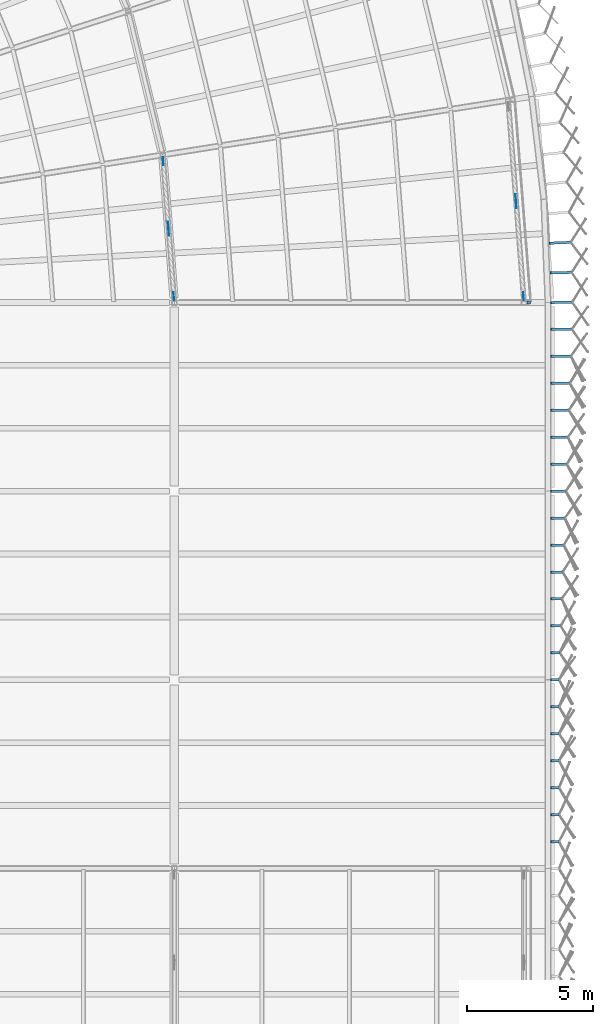
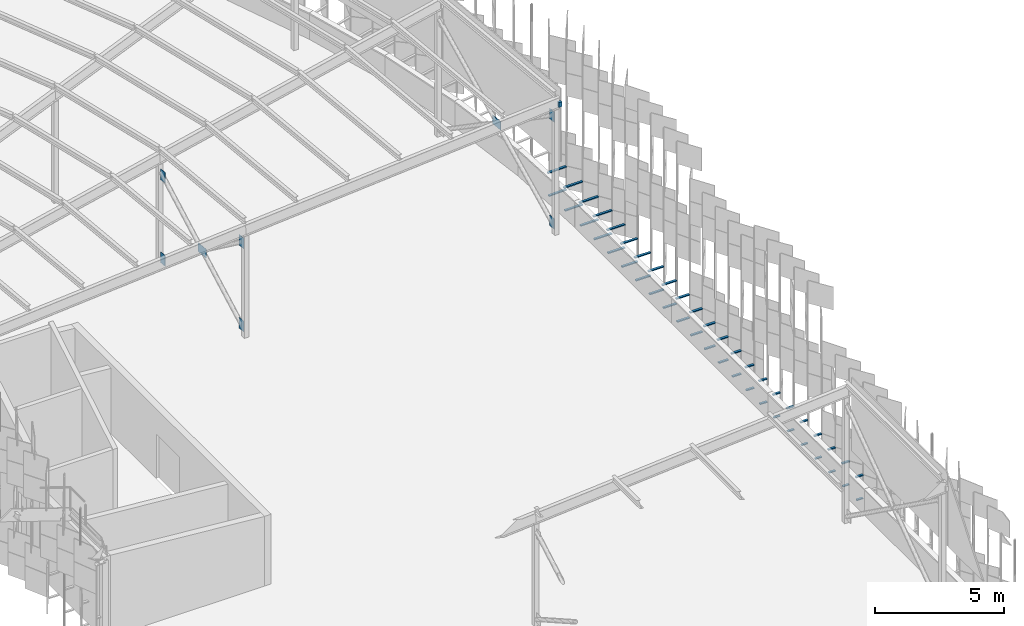
# One storey, part 449 of 483: 55 discrete accessories.
"""IFC4 building model written with IfcOpenShell, lengths in metres."""

import ifcopenshell
import ifcopenshell.guid

model = None  # the IFC model being written
_history = None  # IfcOwnerHistory: only IFC2X3 demands one
_inside = {}  # id of a spatial element -> (the spatial element, [elements in it])
_under = {}  # id of a project, library or spatial element -> (it, [spatial elements below it])
_declared = {}  # id of a project -> (the project, [libraries it declares])
_typed = {}  # id of a type object -> (the type object, [elements of that type])
_made_of = {}  # id of a material, layer set ... -> (it, [elements and type objects made of it])


def new_model(schema):
    """Start an empty IFC model of exactly this schema.

    Asked for "IFC4X3", IfcOpenShell would pick the latest addendum, in which some entities
    have other attributes; the version numbers below select the first issue.
    IFC2X3 requires an IfcOwnerHistory on every rooted entity: one is made here for all.
    """
    global model, _history
    if schema == "IFC4X3":
        model = ifcopenshell.file(schema_version=(4, 3, 0, 0))
    else:
        model = ifcopenshell.file(schema=schema)
    _inside.clear()
    _under.clear()
    _declared.clear()
    _typed.clear()
    _made_of.clear()
    _history = None
    if model.schema == "IFC2X3":
        org = make("IfcOrganization", Name="unknown")
        user = make(
            "IfcPersonAndOrganization",
            ThePerson=make("IfcPerson", FamilyName="unknown"),
            TheOrganization=org,
        )
        app = make(
            "IfcApplication",
            ApplicationDeveloper=org,
            Version="unknown",
            ApplicationFullName="unknown",
            ApplicationIdentifier="unknown",
        )
        _history = make(
            "IfcOwnerHistory",
            OwningUser=user,
            OwningApplication=app,
            ChangeAction="ADDED",
            CreationDate=0,
        )
    return model


def make(cls, **values):
    """One entity of the class cls with the attributes given. An attribute that is None is left unset."""
    return model.create_entity(
        cls, **{name: value for name, value in values.items() if value is not None}
    )


def rooted(cls, **values):
    """An entity with a GlobalId (a new one), such as an element, a storey or a relation."""
    return make(cls, GlobalId=ifcopenshell.guid.new(), OwnerHistory=_history, **values)


def si_unit(unit_type, name, prefix=None):
    """IfcSIUnit, for example si_unit("LENGTHUNIT", "METRE", prefix="MILLI")."""
    return make("IfcSIUnit", UnitType=unit_type, Prefix=prefix, Name=name)


def assignment(units):
    """IfcUnitAssignment: the units of a project."""
    return None if units is None else make("IfcUnitAssignment", Units=units)


def point(xyz):
    """IfcCartesianPoint."""
    return None if xyz is None else make("IfcCartesianPoint", Coordinates=xyz)


def direction(xyz):
    """IfcDirection."""
    return None if xyz is None else make("IfcDirection", DirectionRatios=xyz)


def frame(location, z_axis=None, x_axis=None):
    """IfcAxis2Placement3D, a coordinate frame: its origin and axes. An axis left out is left unset."""
    return make(
        "IfcAxis2Placement3D",
        Location=point(location),
        Axis=direction(z_axis),
        RefDirection=direction(x_axis),
    )


def frame_2d(location, x_axis=None):
    """IfcAxis2Placement2D, a coordinate frame in the plane: its origin and x axis."""
    return make(
        "IfcAxis2Placement2D", Location=point(location), RefDirection=direction(x_axis)
    )


def origin():
    """The frame at (0, 0, 0) with its axes left unset."""
    return frame((0.0, 0.0, 0.0))


def origin_2d():
    """The frame at (0, 0) in the plane with its x axis left unset."""
    return frame_2d((0.0, 0.0))


def place(relative_to, where):
    """IfcLocalPlacement: puts the frame where relative to a parent placement (None: the world)."""
    return make(
        "IfcLocalPlacement", PlacementRelTo=relative_to, RelativePlacement=where
    )


def context(
    kind, dimensions, precision=None, world=None, true_north=None, identifier=None
):
    """IfcGeometricRepresentationContext, for example the 3D "Model" context."""
    return make(
        "IfcGeometricRepresentationContext",
        ContextIdentifier=identifier,
        ContextType=kind,
        CoordinateSpaceDimension=dimensions,
        Precision=precision,
        WorldCoordinateSystem=world,
        TrueNorth=true_north,
    )


def subcontext(parent, identifier, kind, view, scale=None):
    """IfcGeometricRepresentationSubContext, for example "Body" below "Model"."""
    return make(
        "IfcGeometricRepresentationSubContext",
        ContextIdentifier=identifier,
        ContextType=kind,
        ParentContext=parent,
        TargetScale=scale,
        TargetView=view,
    )


def project(units=None, contexts=None):
    """IfcProject with its units and contexts."""
    return rooted(
        "IfcProject",
        Name="project",
        RepresentationContexts=contexts,
        UnitsInContext=assignment(units),
    )


def spatial(cls, under=None, at=None, **own):
    """A site, building, storey or space (cls), placed at a placement, below another one or the project."""
    s = rooted(cls, ObjectPlacement=at, **own)
    if under is not None:
        _under.setdefault(under.id(), (under, []))[1].append(s)
    return s


def polyline(points):
    """IfcPolyline through the points."""
    return make("IfcPolyline", Points=[point(p) for p in points])


def profile(cls, at=None, kind="AREA", **sizes):
    """A parametric profile (cls). Its sizes go by their IFC names, for example OverallWidth=200.0."""
    return make(cls, ProfileType=kind, Position=at, **sizes)


def rectangle(**sizes):
    """IfcRectangleProfileDef."""
    return profile("IfcRectangleProfileDef", **sizes)


def outline(outer, holes=None, kind="AREA"):
    """IfcArbitraryClosedProfileDef: a profile drawn as a closed curve; with holes, ...WithVoids."""
    if holes is None:
        return make("IfcArbitraryClosedProfileDef", ProfileType=kind, OuterCurve=outer)
    return make(
        "IfcArbitraryProfileDefWithVoids",
        ProfileType=kind,
        OuterCurve=outer,
        InnerCurves=holes,
    )


def extrude(swept, where, along, depth):
    """IfcExtrudedAreaSolid: the profile swept, set in the frame where, extruded along a direction by depth."""
    return make(
        "IfcExtrudedAreaSolid",
        SweptArea=swept,
        Position=where,
        ExtrudedDirection=direction(along),
        Depth=depth,
    )


def shape(context_of_items, identifier, shape_type, items):
    """IfcShapeRepresentation: the items that make up one representation, for example the "Body"."""
    return make(
        "IfcShapeRepresentation",
        ContextOfItems=context_of_items,
        RepresentationIdentifier=identifier,
        RepresentationType=shape_type,
        Items=items,
    )


def material(Name=None, Category=None):
    """IfcMaterial."""
    return make("IfcMaterial", Name=Name, Category=Category)


def layer(
    of_material, thickness, ventilated=None, Name=None, Category=None, Priority=None
):
    """IfcMaterialLayer: one layer of a wall or slab, of a material (None: an air gap)."""
    return make(
        "IfcMaterialLayer",
        Material=of_material,
        LayerThickness=thickness,
        IsVentilated=ventilated,
        Name=Name,
        Category=Category,
        Priority=Priority,
    )


def layer_set(layers, Name=None):
    """IfcMaterialLayerSet."""
    return make("IfcMaterialLayerSet", MaterialLayers=layers, LayerSetName=Name)


def made_of(thing, what):
    """Note that an element or type object is made of a material, layer set ...; save() writes the relation."""
    if what is not None:
        _made_of.setdefault(what.id(), (what, []))[1].append(thing)
    return thing


def type_object(cls, material=None, **own):
    """A type object (cls), such as IfcWallType, which elements share."""
    return made_of(rooted(cls, **own), material)


def element(
    cls,
    number,
    at=None,
    inside=None,
    cuts=None,
    type_object=None,
    material=None,
    context=None,
    identifier="Body",
    shape_type=None,
    held_by="IfcProductDefinitionShape",
    body=None,
    shapes=None,
    **own,
):
    """One element of the class cls, such as IfcWall. Its Tag is "e" and its number.

    at: its placement. inside: the storey or other place that contains it. cuts: it is an
    opening in that element (IfcRelVoidsElement). A single representation is given by context,
    identifier, shape_type and body (its items); several are given by shapes. held_by: the class
    of the entity that holds the representations. save() writes the other relations.
    """
    e = rooted(cls, Tag="e%d" % number, ObjectPlacement=at, **own)
    if body is not None:
        shapes = [shape(context, identifier, shape_type, body)]
    if shapes is not None:
        e.Representation = make(held_by, Representations=shapes)
    if inside is not None:
        _inside.setdefault(inside.id(), (inside, []))[1].append(e)
    if cuts is not None:
        rooted(
            "IfcRelVoidsElement", RelatingBuildingElement=cuts, RelatedOpeningElement=e
        )
    if type_object is not None:
        _typed.setdefault(type_object.id(), (type_object, []))[1].append(e)
    return made_of(e, material)


def aggregate(whole, parts):
    """IfcRelAggregates: a whole, such as a stair, and the parts it consists of."""
    return rooted("IfcRelAggregates", RelatingObject=whole, RelatedObjects=parts)


def save(model, path):
    """Write the relations noted so far, then the file.

    IfcRelAggregates (storeys below a building ...), IfcRelContainedInSpatialStructure (elements
    in a storey), IfcRelDefinesByType, IfcRelAssociatesMaterial and IfcRelDeclares: one each for
    every whole, place, type object, material and project.
    """
    for whole, parts in _under.values():
        aggregate(whole, parts)
    for where, things in _inside.values():
        rooted(
            "IfcRelContainedInSpatialStructure",
            RelatedElements=things,
            RelatingStructure=where,
        )
    for kind, things in _typed.values():
        rooted("IfcRelDefinesByType", RelatedObjects=things, RelatingType=kind)
    for what, things in _made_of.values():
        rooted("IfcRelAssociatesMaterial", RelatedObjects=things, RelatingMaterial=what)
    for by, libraries in _declared.values():
        rooted("IfcRelDeclares", RelatingContext=by, RelatedDefinitions=libraries)
    model.write(path)


model = new_model("IFC4")

# Units and contexts
model_context = context("Model", 3, precision=1e-05, world=origin(), true_north=direction((0.0, 1.0)))
body_context = subcontext(model_context, "Body", "Model", "MODEL_VIEW")
ifc_project = project(units=[si_unit("LENGTHUNIT", "METRE"), si_unit("AREAUNIT", "SQUARE_METRE"), si_unit("VOLUMEUNIT", "CUBIC_METRE"), si_unit("PLANEANGLEUNIT", "RADIAN"), si_unit("MASSUNIT", "GRAM", prefix="KILO")], contexts=[model_context])

# Site, building, storey
site_placement = place(None, origin())
site = spatial("IfcSite", under=ifc_project, at=site_placement, CompositionType="ELEMENT")
building_placement = place(site_placement, origin())
building = spatial("IfcBuilding", under=site, at=building_placement, Name="Parallax Yard Mobility Hub", CompositionType="ELEMENT")
storey_placement = place(building_placement, frame((0.0, 0.0, 13.199951171875)))
storey = spatial("IfcBuildingStorey", under=building, at=storey_placement, Name="L04", CompositionType="ELEMENT", Elevation=13.199951171875)

# Discrete accessories
ifc_material_1 = material(Name="Steel ASTM A36", Category="steel")
ifc_layer = layer(ifc_material_1, 0.011962890625)
ifc_layer_set = layer_set([ifc_layer], Name="Gusset plate PL12")
discrete_accessory_type_1 = type_object("IfcDiscreteAccessoryType", Name="Gusset plate PL12", PredefinedType="BRACKET", material=ifc_layer_set)
discrete_accessory_1_placement = place(storey_placement, frame((0.0, 0.0, 0.150146484375)))
element("IfcDiscreteAccessory", 1, at=discrete_accessory_1_placement, inside=storey, type_object=discrete_accessory_type_1, Name="Gusset plate PL12 RB bay R9-R10 foot on post R9", PredefinedType="BRACKET", context=body_context, shape_type="SweptSolid", body=[
    extrude(outline(polyline([(209.539306640625, 95.77685546875), (209.564453125, 95.457763671875), (209.576416015625, 95.458740234375), (209.55126953125, 95.77783203125), (209.539306640625, 95.77685546875)])), origin(), (0.0, 0.0, 1.0), 0.5185546875),
])
for number, where, name in (
    (2, (0.0, 0.0, 4.08154296875), "Gusset plate PL12 RB bay R9-R10 head on post R10"),
    (3, (0.0, 0.0, 0.150146484375), "Gusset plate PL12 RB bay R9-R10 foot on post R10"),
):
    element("IfcDiscreteAccessory", number, at=place(storey_placement, frame(where)), inside=storey, type_object=discrete_accessory_type_1, Name=name, PredefinedType="BRACKET", context=body_context, shape_type="SweptSolid", body=[
        extrude(outline(polyline([(209.9990234375, 90.089599609375), (209.973876953125, 90.408447265625), (209.9619140625, 90.407470703125), (209.987060546875, 90.08837890625), (209.9990234375, 90.089599609375)])), origin(), (0.0, 0.0, 1.0), 0.5185546875),
    ])
discrete_accessory_2_placement = place(storey_placement, frame((0.0, 0.0, 4.08154296875)))
element("IfcDiscreteAccessory", 4, at=discrete_accessory_2_placement, inside=storey, type_object=discrete_accessory_type_1, Name="Gusset plate PL12 RB bay R9-R10 head on post R9", PredefinedType="BRACKET", context=body_context, shape_type="SweptSolid", body=[
    extrude(outline(polyline([(209.539306640625, 95.77685546875), (209.564453125, 95.457763671875), (209.576416015625, 95.458740234375), (209.55126953125, 95.77783203125), (209.539306640625, 95.77685546875)])), origin(), (0.0, 0.0, 1.0), 0.5185546875),
])
discrete_accessory_3_placement = place(storey_placement, frame((0.0, 0.0, 2.1650390625)))
element("IfcDiscreteAccessory", 5, at=discrete_accessory_3_placement, inside=storey, type_object=discrete_accessory_type_1, Name="Gusset plate PL12 RB bay R9-R10 crossing node", PredefinedType="BRACKET", context=body_context, shape_type="SweptSolid", body=[
    extrude(outline(polyline([(209.7412109375, 93.2119140625), (209.78515625, 92.653564453125), (209.797119140625, 92.654541015625), (209.753173828125, 93.212890625), (209.7412109375, 93.2119140625)])), origin(), (0.0, 0.0, 1.0), 0.419921875),
])
discrete_accessory_4_placement = place(storey_placement, frame((0.0, 0.0, 5.211669921875)))
element("IfcDiscreteAccessory", 6, at=discrete_accessory_4_placement, inside=storey, type_object=discrete_accessory_type_1, Name="Gusset plate PL12 RC bay R9-R10 head on post R10", PredefinedType="BRACKET", context=body_context, shape_type="SweptSolid", body=[
    extrude(outline(polyline([(223.89892578125, 90.089599609375), (223.873779296875, 90.408447265625), (223.86181640625, 90.407470703125), (223.886962890625, 90.08837890625), (223.89892578125, 90.089599609375)])), origin(), (0.0, 0.0, 1.0), 0.50048828125),
])
discrete_accessory_5_placement = place(storey_placement, frame((0.0, 0.0, 0.150146484375)))
element("IfcDiscreteAccessory", 7, at=discrete_accessory_5_placement, inside=storey, type_object=discrete_accessory_type_1, Name="Gusset plate PL12 RC bay R9-R10 foot on post R10", PredefinedType="BRACKET", context=body_context, shape_type="SweptSolid", body=[
    extrude(outline(polyline([(223.89892578125, 90.089599609375), (223.873779296875, 90.408447265625), (223.86181640625, 90.407470703125), (223.886962890625, 90.08837890625), (223.89892578125, 90.089599609375)])), origin(), (0.0, 0.0, 1.0), 0.500244140625),
])
discrete_accessory_6_placement = place(storey_placement, frame((0.0, 0.0, 2.720947265625)))
element("IfcDiscreteAccessory", 8, at=discrete_accessory_6_placement, inside=storey, type_object=discrete_accessory_type_1, Name="Gusset plate PL12 RC bay R9-R10 crossing node", PredefinedType="BRACKET", context=body_context, shape_type="SweptSolid", body=[
    extrude(outline(polyline([(223.5556640625, 94.299072265625), (223.599609375, 93.74072265625), (223.611572265625, 93.74169921875), (223.567626953125, 94.300048828125), (223.5556640625, 94.299072265625)])), origin(), (0.0, 0.0, 1.0), 0.420166015625),
])
ifc_material_2 = material(Name="Steel ASTM A36, hot-dip galvanised", Category="steel")
discrete_accessory_type_2 = type_object("IfcDiscreteAccessoryType", Name="Hinge bracket plate 100x50", PredefinedType="BRACKET", material=ifc_material_2)
discrete_accessory_7_placement = place(storey_placement, frame((225.1416015625, 68.56787109375, -0.02490234375), z_axis=(0.0, 0.0, 1.0), x_axis=(1.0, 0.0, 0.0)))
element("IfcDiscreteAccessory", 9, at=discrete_accessory_7_placement, inside=storey, type_object=discrete_accessory_type_2, Name="Hinge bracket plate bay 38.2 level L04", PredefinedType="BRACKET", context=body_context, shape_type="SweptSolid", body=[
    extrude(rectangle(XDim=0.2841796875, YDim=0.10009765625, at=origin_2d()), origin(), (0.0, 0.0, 1.0), 0.050048828125),
])
discrete_accessory_8_placement = place(storey_placement, frame((225.11865234375, 68.56787109375, 1.06982421875), z_axis=(0.0, 0.0, 1.0), x_axis=(1.0, 0.0, 0.0)))
element("IfcDiscreteAccessory", 10, at=discrete_accessory_8_placement, inside=storey, type_object=discrete_accessory_type_2, Name="Hinge bracket plate bay 38.2 level L04", PredefinedType="BRACKET", context=body_context, shape_type="SweptSolid", body=[
    extrude(rectangle(XDim=0.330078125, YDim=0.10009765625, at=origin_2d()), origin(), (0.0, 0.0, 1.0), 0.050048828125),
])
discrete_accessory_9_placement = place(storey_placement, frame((225.1416015625, 69.639404296875, -0.02490234375), z_axis=(0.0, 0.0, 1.0), x_axis=(1.0, 0.0, 0.0)))
element("IfcDiscreteAccessory", 11, at=discrete_accessory_9_placement, inside=storey, type_object=discrete_accessory_type_2, Name="Hinge bracket plate bay 38.3 level L04", PredefinedType="BRACKET", context=body_context, shape_type="SweptSolid", body=[
    extrude(rectangle(XDim=0.2841796875, YDim=0.10009765625, at=origin_2d()), origin(), (0.0, 0.0, 1.0), 0.050048828125),
])
discrete_accessory_10_placement = place(storey_placement, frame((225.11865234375, 69.639404296875, 1.06982421875), z_axis=(0.0, 0.0, 1.0), x_axis=(1.0, 0.0, 0.0)))
element("IfcDiscreteAccessory", 12, at=discrete_accessory_10_placement, inside=storey, type_object=discrete_accessory_type_2, Name="Hinge bracket plate bay 38.3 level L04", PredefinedType="BRACKET", context=body_context, shape_type="SweptSolid", body=[
    extrude(rectangle(XDim=0.330078125, YDim=0.10009765625, at=origin_2d()), origin(), (0.0, 0.0, 1.0), 0.050048828125),
])
discrete_accessory_11_placement = place(storey_placement, frame((225.1416015625, 70.711181640625, -0.02490234375), z_axis=(0.0, 0.0, 1.0), x_axis=(1.0, 0.0, 0.0)))
element("IfcDiscreteAccessory", 13, at=discrete_accessory_11_placement, inside=storey, type_object=discrete_accessory_type_2, Name="Hinge bracket plate bay 38.4 level L04", PredefinedType="BRACKET", context=body_context, shape_type="SweptSolid", body=[
    extrude(rectangle(XDim=0.2841796875, YDim=0.10009765625, at=origin_2d()), origin(), (0.0, 0.0, 1.0), 0.050048828125),
])
discrete_accessory_12_placement = place(storey_placement, frame((225.11865234375, 70.711181640625, 1.06982421875), z_axis=(0.0, 0.0, 1.0), x_axis=(1.0, 0.0, 0.0)))
element("IfcDiscreteAccessory", 14, at=discrete_accessory_12_placement, inside=storey, type_object=discrete_accessory_type_2, Name="Hinge bracket plate bay 38.4 level L04", PredefinedType="BRACKET", context=body_context, shape_type="SweptSolid", body=[
    extrude(rectangle(XDim=0.330078125, YDim=0.10009765625, at=origin_2d()), origin(), (0.0, 0.0, 1.0), 0.050048828125),
])
discrete_accessory_13_placement = place(storey_placement, frame((225.1416015625, 71.782958984375, -0.02490234375), z_axis=(0.0, 0.0, 1.0), x_axis=(1.0, 0.0, 0.0)))
element("IfcDiscreteAccessory", 15, at=discrete_accessory_13_placement, inside=storey, type_object=discrete_accessory_type_2, Name="Hinge bracket plate bay 38.5 level L04", PredefinedType="BRACKET", context=body_context, shape_type="SweptSolid", body=[
    extrude(rectangle(XDim=0.2841796875, YDim=0.10009765625, at=origin_2d()), origin(), (0.0, 0.0, 1.0), 0.050048828125),
])
discrete_accessory_14_placement = place(storey_placement, frame((225.11865234375, 71.782958984375, 1.06982421875), z_axis=(0.0, 0.0, 1.0), x_axis=(1.0, 0.0, 0.0)))
element("IfcDiscreteAccessory", 16, at=discrete_accessory_14_placement, inside=storey, type_object=discrete_accessory_type_2, Name="Hinge bracket plate bay 38.5 level L04", PredefinedType="BRACKET", context=body_context, shape_type="SweptSolid", body=[
    extrude(rectangle(XDim=0.330078125, YDim=0.10009765625, at=origin_2d()), origin(), (0.0, 0.0, 1.0), 0.050048828125),
])
discrete_accessory_15_placement = place(storey_placement, frame((225.1416015625, 72.854736328125, -0.02490234375), z_axis=(0.0, 0.0, 1.0), x_axis=(1.0, 0.0, 0.0)))
element("IfcDiscreteAccessory", 17, at=discrete_accessory_15_placement, inside=storey, type_object=discrete_accessory_type_2, Name="Hinge bracket plate bay 38.6 level L04", PredefinedType="BRACKET", context=body_context, shape_type="SweptSolid", body=[
    extrude(rectangle(XDim=0.2841796875, YDim=0.10009765625, at=origin_2d()), origin(), (0.0, 0.0, 1.0), 0.050048828125),
])
discrete_accessory_16_placement = place(storey_placement, frame((225.11865234375, 72.854736328125, 1.06982421875), z_axis=(0.0, 0.0, 1.0), x_axis=(1.0, 0.0, 0.0)))
element("IfcDiscreteAccessory", 18, at=discrete_accessory_16_placement, inside=storey, type_object=discrete_accessory_type_2, Name="Hinge bracket plate bay 38.6 level L04", PredefinedType="BRACKET", context=body_context, shape_type="SweptSolid", body=[
    extrude(rectangle(XDim=0.330078125, YDim=0.10009765625, at=origin_2d()), origin(), (0.0, 0.0, 1.0), 0.050048828125),
])
discrete_accessory_17_placement = place(storey_placement, frame((225.1416015625, 73.926513671875, -0.02490234375), z_axis=(0.0, 0.0, 1.0), x_axis=(1.0, 0.0, 0.0)))
element("IfcDiscreteAccessory", 19, at=discrete_accessory_17_placement, inside=storey, type_object=discrete_accessory_type_2, Name="Hinge bracket plate bay 38.7 level L04", PredefinedType="BRACKET", context=body_context, shape_type="SweptSolid", body=[
    extrude(rectangle(XDim=0.2841796875, YDim=0.10009765625, at=origin_2d()), origin(), (0.0, 0.0, 1.0), 0.050048828125),
])
discrete_accessory_18_placement = place(storey_placement, frame((225.11865234375, 73.926513671875, 1.06982421875), z_axis=(0.0, 0.0, 1.0), x_axis=(1.0, 0.0, 0.0)))
element("IfcDiscreteAccessory", 20, at=discrete_accessory_18_placement, inside=storey, type_object=discrete_accessory_type_2, Name="Hinge bracket plate bay 38.7 level L04", PredefinedType="BRACKET", context=body_context, shape_type="SweptSolid", body=[
    extrude(rectangle(XDim=0.330078125, YDim=0.10009765625, at=origin_2d()), origin(), (0.0, 0.0, 1.0), 0.050048828125),
])
discrete_accessory_19_placement = place(storey_placement, frame((225.1416015625, 74.998291015625, -0.02490234375), z_axis=(0.0, 0.0, 1.0), x_axis=(1.0, 0.0, 0.0)))
element("IfcDiscreteAccessory", 21, at=discrete_accessory_19_placement, inside=storey, type_object=discrete_accessory_type_2, Name="Hinge bracket plate bay 39.1 level L04", PredefinedType="BRACKET", context=body_context, shape_type="SweptSolid", body=[
    extrude(rectangle(XDim=0.2841796875, YDim=0.10009765625, at=origin_2d()), origin(), (0.0, 0.0, 1.0), 0.050048828125),
])
discrete_accessory_20_placement = place(storey_placement, frame((225.11865234375, 74.998291015625, 1.06982421875), z_axis=(0.0, 0.0, 1.0), x_axis=(1.0, 0.0, 0.0)))
element("IfcDiscreteAccessory", 22, at=discrete_accessory_20_placement, inside=storey, type_object=discrete_accessory_type_2, Name="Hinge bracket plate bay 39.1 level L04", PredefinedType="BRACKET", context=body_context, shape_type="SweptSolid", body=[
    extrude(rectangle(XDim=0.330078125, YDim=0.10009765625, at=origin_2d()), origin(), (0.0, 0.0, 1.0), 0.050048828125),
])
discrete_accessory_21_placement = place(storey_placement, frame((225.156982421875, 76.06982421875, -0.02490234375), z_axis=(0.0, 0.0, 1.0), x_axis=(1.0, 0.0, 0.0)))
element("IfcDiscreteAccessory", 23, at=discrete_accessory_21_placement, inside=storey, type_object=discrete_accessory_type_2, Name="Hinge bracket plate bay 39.2 level L04", PredefinedType="BRACKET", context=body_context, shape_type="SweptSolid", body=[
    extrude(rectangle(XDim=0.31494140625, YDim=0.10009765625, at=origin_2d()), origin(), (0.0, 0.0, 1.0), 0.050048828125),
])
discrete_accessory_22_placement = place(storey_placement, frame((225.1337890625, 76.06982421875, 1.06982421875), z_axis=(0.0, 0.0, 1.0), x_axis=(1.0, 0.0, 0.0)))
element("IfcDiscreteAccessory", 24, at=discrete_accessory_22_placement, inside=storey, type_object=discrete_accessory_type_2, Name="Hinge bracket plate bay 39.2 level L04", PredefinedType="BRACKET", context=body_context, shape_type="SweptSolid", body=[
    extrude(rectangle(XDim=0.36083984375, YDim=0.10009765625, at=origin_2d()), origin(), (0.0, 0.0, 1.0), 0.050048828125),
])
discrete_accessory_23_placement = place(storey_placement, frame((225.177001953125, 77.1416015625, -0.02490234375), z_axis=(0.0, 0.0, 1.0), x_axis=(1.0, 0.0, 0.0)))
element("IfcDiscreteAccessory", 25, at=discrete_accessory_23_placement, inside=storey, type_object=discrete_accessory_type_2, Name="Hinge bracket plate bay 39.3 level L04", PredefinedType="BRACKET", context=body_context, shape_type="SweptSolid", body=[
    extrude(rectangle(XDim=0.35498046875, YDim=0.10009765625, at=origin_2d()), origin(), (0.0, 0.0, 1.0), 0.050048828125),
])
discrete_accessory_24_placement = place(storey_placement, frame((225.154052734375, 77.1416015625, 1.06982421875), z_axis=(0.0, 0.0, 1.0), x_axis=(1.0, 0.0, 0.0)))
element("IfcDiscreteAccessory", 26, at=discrete_accessory_24_placement, inside=storey, type_object=discrete_accessory_type_2, Name="Hinge bracket plate bay 39.3 level L04", PredefinedType="BRACKET", context=body_context, shape_type="SweptSolid", body=[
    extrude(rectangle(XDim=0.40087890625, YDim=0.10009765625, at=origin_2d()), origin(), (0.0, 0.0, 1.0), 0.050048828125),
])
discrete_accessory_25_placement = place(storey_placement, frame((225.197021484375, 78.21337890625, -0.02490234375), z_axis=(0.0, 0.0, 1.0), x_axis=(1.0, 0.0, 0.0)))
element("IfcDiscreteAccessory", 27, at=discrete_accessory_25_placement, inside=storey, type_object=discrete_accessory_type_2, Name="Hinge bracket plate bay 39.4 level L04", PredefinedType="BRACKET", context=body_context, shape_type="SweptSolid", body=[
    extrude(rectangle(XDim=0.39501953125, YDim=0.10009765625, at=origin_2d()), origin(), (0.0, 0.0, 1.0), 0.050048828125),
])
discrete_accessory_26_placement = place(storey_placement, frame((225.174072265625, 78.21337890625, 1.06982421875), z_axis=(0.0, 0.0, 1.0), x_axis=(1.0, 0.0, 0.0)))
element("IfcDiscreteAccessory", 28, at=discrete_accessory_26_placement, inside=storey, type_object=discrete_accessory_type_2, Name="Hinge bracket plate bay 39.4 level L04", PredefinedType="BRACKET", context=body_context, shape_type="SweptSolid", body=[
    extrude(rectangle(XDim=0.441162109375, YDim=0.10009765625, at=origin_2d()), origin(), (0.0, 0.0, 1.0), 0.050048828125),
])
discrete_accessory_27_placement = place(storey_placement, frame((225.217041015625, 79.28515625, -0.02490234375), z_axis=(0.0, 0.0, 1.0), x_axis=(1.0, 0.0, 0.0)))
element("IfcDiscreteAccessory", 29, at=discrete_accessory_27_placement, inside=storey, type_object=discrete_accessory_type_2, Name="Hinge bracket plate bay 39.5 level L04", PredefinedType="BRACKET", context=body_context, shape_type="SweptSolid", body=[
    extrude(rectangle(XDim=0.435302734375, YDim=0.10009765625, at=origin_2d()), origin(), (0.0, 0.0, 1.0), 0.050048828125),
])
discrete_accessory_28_placement = place(storey_placement, frame((225.194091796875, 79.28515625, 1.06982421875), z_axis=(0.0, 0.0, 1.0), x_axis=(1.0, 0.0, 0.0)))
element("IfcDiscreteAccessory", 30, at=discrete_accessory_28_placement, inside=storey, type_object=discrete_accessory_type_2, Name="Hinge bracket plate bay 39.5 level L04", PredefinedType="BRACKET", context=body_context, shape_type="SweptSolid", body=[
    extrude(rectangle(XDim=0.481201171875, YDim=0.10009765625, at=origin_2d()), origin(), (0.0, 0.0, 1.0), 0.050048828125),
])
discrete_accessory_29_placement = place(storey_placement, frame((225.237060546875, 80.356689453125, -0.02490234375), z_axis=(0.0, 0.0, 1.0), x_axis=(1.0, 0.0, 0.0)))
element("IfcDiscreteAccessory", 31, at=discrete_accessory_29_placement, inside=storey, type_object=discrete_accessory_type_2, Name="Hinge bracket plate bay 39.6 level L04", PredefinedType="BRACKET", context=body_context, shape_type="SweptSolid", body=[
    extrude(rectangle(XDim=0.47509765625, YDim=0.10009765625, at=origin_2d()), origin(), (0.0, 0.0, 1.0), 0.050048828125),
])
discrete_accessory_30_placement = place(storey_placement, frame((225.214111328125, 80.356689453125, 1.06982421875), z_axis=(0.0, 0.0, 1.0), x_axis=(1.0, 0.0, 0.0)))
element("IfcDiscreteAccessory", 32, at=discrete_accessory_30_placement, inside=storey, type_object=discrete_accessory_type_2, Name="Hinge bracket plate bay 39.6 level L04", PredefinedType="BRACKET", context=body_context, shape_type="SweptSolid", body=[
    extrude(rectangle(XDim=0.521240234375, YDim=0.10009765625, at=origin_2d()), origin(), (0.0, 0.0, 1.0), 0.050048828125),
])
discrete_accessory_31_placement = place(storey_placement, frame((225.257080078125, 81.4287109375, -0.02490234375), z_axis=(0.0, 0.0, 1.0), x_axis=(1.0, 0.0, 0.0)))
element("IfcDiscreteAccessory", 33, at=discrete_accessory_31_placement, inside=storey, type_object=discrete_accessory_type_2, Name="Hinge bracket plate bay 39.7 level L04", PredefinedType="BRACKET", context=body_context, shape_type="SweptSolid", body=[
    extrude(rectangle(XDim=0.515380859375, YDim=0.10009765625, at=origin_2d()), origin(), (0.0, 0.0, 1.0), 0.050048828125),
])
discrete_accessory_32_placement = place(storey_placement, frame((225.234130859375, 81.4287109375, 1.06982421875), z_axis=(0.0, 0.0, 1.0), x_axis=(1.0, 0.0, 0.0)))
element("IfcDiscreteAccessory", 34, at=discrete_accessory_32_placement, inside=storey, type_object=discrete_accessory_type_2, Name="Hinge bracket plate bay 39.7 level L04", PredefinedType="BRACKET", context=body_context, shape_type="SweptSolid", body=[
    extrude(rectangle(XDim=0.561279296875, YDim=0.10009765625, at=origin_2d()), origin(), (0.0, 0.0, 1.0), 0.050048828125),
])
discrete_accessory_33_placement = place(storey_placement, frame((225.277099609375, 82.500244140625, -0.02490234375), z_axis=(0.0, 0.0, 1.0), x_axis=(1.0, 0.0, 0.0)))
element("IfcDiscreteAccessory", 35, at=discrete_accessory_33_placement, inside=storey, type_object=discrete_accessory_type_2, Name="Hinge bracket plate bay 40.1 level L04", PredefinedType="BRACKET", context=body_context, shape_type="SweptSolid", body=[
    extrude(rectangle(XDim=0.555419921875, YDim=0.10009765625, at=origin_2d()), origin(), (0.0, 0.0, 1.0), 0.050048828125),
])
discrete_accessory_34_placement = place(storey_placement, frame((225.254150390625, 82.500244140625, 1.06982421875), z_axis=(0.0, 0.0, 1.0), x_axis=(1.0, 0.0, 0.0)))
element("IfcDiscreteAccessory", 36, at=discrete_accessory_34_placement, inside=storey, type_object=discrete_accessory_type_2, Name="Hinge bracket plate bay 40.1 level L04", PredefinedType="BRACKET", context=body_context, shape_type="SweptSolid", body=[
    extrude(rectangle(XDim=0.601318359375, YDim=0.10009765625, at=origin_2d()), origin(), (0.0, 0.0, 1.0), 0.050048828125),
])
discrete_accessory_35_placement = place(storey_placement, frame((225.29736328125, 83.572021484375, -0.02490234375), z_axis=(0.0, 0.0, 1.0), x_axis=(1.0, 0.0, 0.0)))
element("IfcDiscreteAccessory", 37, at=discrete_accessory_35_placement, inside=storey, type_object=discrete_accessory_type_2, Name="Hinge bracket plate bay 40.2 level L04", PredefinedType="BRACKET", context=body_context, shape_type="SweptSolid", body=[
    extrude(rectangle(XDim=0.595458984375, YDim=0.10009765625, at=origin_2d()), origin(), (0.0, 0.0, 1.0), 0.050048828125),
])
discrete_accessory_36_placement = place(storey_placement, frame((225.2744140625, 83.572021484375, 1.06982421875), z_axis=(0.0, 0.0, 1.0), x_axis=(1.0, 0.0, 0.0)))
element("IfcDiscreteAccessory", 38, at=discrete_accessory_36_placement, inside=storey, type_object=discrete_accessory_type_2, Name="Hinge bracket plate bay 40.2 level L04", PredefinedType="BRACKET", context=body_context, shape_type="SweptSolid", body=[
    extrude(rectangle(XDim=0.6416015625, YDim=0.10009765625, at=origin_2d()), origin(), (0.0, 0.0, 1.0), 0.050048828125),
])
discrete_accessory_37_placement = place(storey_placement, frame((225.3173828125, 84.643798828125, -0.02490234375), z_axis=(0.0, 0.0, 1.0), x_axis=(1.0, 0.0, 0.0)))
element("IfcDiscreteAccessory", 39, at=discrete_accessory_37_placement, inside=storey, type_object=discrete_accessory_type_2, Name="Hinge bracket plate bay 40.3 level L04", PredefinedType="BRACKET", context=body_context, shape_type="SweptSolid", body=[
    extrude(rectangle(XDim=0.635498046875, YDim=0.10009765625, at=origin_2d()), origin(), (0.0, 0.0, 1.0), 0.050048828125),
])
discrete_accessory_38_placement = place(storey_placement, frame((225.294189453125, 84.643798828125, 1.06982421875), z_axis=(0.0, 0.0, 1.0), x_axis=(1.0, 0.0, 0.0)))
element("IfcDiscreteAccessory", 40, at=discrete_accessory_38_placement, inside=storey, type_object=discrete_accessory_type_2, Name="Hinge bracket plate bay 40.3 level L04", PredefinedType="BRACKET", context=body_context, shape_type="SweptSolid", body=[
    extrude(rectangle(XDim=0.681640625, YDim=0.10009765625, at=origin_2d()), origin(), (0.0, 0.0, 1.0), 0.050048828125),
])
discrete_accessory_39_placement = place(storey_placement, frame((225.33740234375, 85.715576171875, -0.02490234375), z_axis=(0.0, 0.0, 1.0), x_axis=(1.0, 0.0, 0.0)))
element("IfcDiscreteAccessory", 41, at=discrete_accessory_39_placement, inside=storey, type_object=discrete_accessory_type_2, Name="Hinge bracket plate bay 40.4 level L04", PredefinedType="BRACKET", context=body_context, shape_type="SweptSolid", body=[
    extrude(rectangle(XDim=0.67578125, YDim=0.10009765625, at=origin_2d()), origin(), (0.0, 0.0, 1.0), 0.050048828125),
])
discrete_accessory_40_placement = place(storey_placement, frame((225.314208984375, 85.715576171875, 1.06982421875), z_axis=(0.0, 0.0, 1.0), x_axis=(1.0, 0.0, 0.0)))
element("IfcDiscreteAccessory", 42, at=discrete_accessory_40_placement, inside=storey, type_object=discrete_accessory_type_2, Name="Hinge bracket plate bay 40.4 level L04", PredefinedType="BRACKET", context=body_context, shape_type="SweptSolid", body=[
    extrude(rectangle(XDim=0.7216796875, YDim=0.10009765625, at=origin_2d()), origin(), (0.0, 0.0, 1.0), 0.050048828125),
])
discrete_accessory_41_placement = place(storey_placement, frame((225.357421875, 86.787109375, -0.02490234375), z_axis=(0.0, 0.0, 1.0), x_axis=(1.0, 0.0, 0.0)))
element("IfcDiscreteAccessory", 43, at=discrete_accessory_41_placement, inside=storey, type_object=discrete_accessory_type_2, Name="Hinge bracket plate bay 40.5 level L04", PredefinedType="BRACKET", context=body_context, shape_type="SweptSolid", body=[
    extrude(rectangle(XDim=0.7158203125, YDim=0.10009765625, at=origin_2d()), origin(), (0.0, 0.0, 1.0), 0.050048828125),
])
discrete_accessory_42_placement = place(storey_placement, frame((225.33447265625, 86.787109375, 1.06982421875), z_axis=(0.0, 0.0, 1.0), x_axis=(1.0, 0.0, 0.0)))
element("IfcDiscreteAccessory", 44, at=discrete_accessory_42_placement, inside=storey, type_object=discrete_accessory_type_2, Name="Hinge bracket plate bay 40.5 level L04", PredefinedType="BRACKET", context=body_context, shape_type="SweptSolid", body=[
    extrude(rectangle(XDim=0.76171875, YDim=0.10009765625, at=origin_2d()), origin(), (0.0, 0.0, 1.0), 0.050048828125),
])
discrete_accessory_43_placement = place(storey_placement, frame((225.37744140625, 87.85888671875, -0.02490234375), z_axis=(0.0, 0.0, 1.0), x_axis=(1.0, 0.0, 0.0)))
element("IfcDiscreteAccessory", 45, at=discrete_accessory_43_placement, inside=storey, type_object=discrete_accessory_type_2, Name="Hinge bracket plate bay 40.6 level L04", PredefinedType="BRACKET", context=body_context, shape_type="SweptSolid", body=[
    extrude(rectangle(XDim=0.755859375, YDim=0.10009765625, at=origin_2d()), origin(), (0.0, 0.0, 1.0), 0.050048828125),
])
discrete_accessory_44_placement = place(storey_placement, frame((225.3544921875, 87.85888671875, 1.06982421875), z_axis=(0.0, 0.0, 1.0), x_axis=(1.0, 0.0, 0.0)))
element("IfcDiscreteAccessory", 46, at=discrete_accessory_44_placement, inside=storey, type_object=discrete_accessory_type_2, Name="Hinge bracket plate bay 40.6 level L04", PredefinedType="BRACKET", context=body_context, shape_type="SweptSolid", body=[
    extrude(rectangle(XDim=0.802001953125, YDim=0.10009765625, at=origin_2d()), origin(), (0.0, 0.0, 1.0), 0.050048828125),
])
discrete_accessory_45_placement = place(storey_placement, frame((225.3974609375, 88.9306640625, -0.02490234375), z_axis=(0.0, 0.0, 1.0), x_axis=(1.0, 0.0, 0.0)))
element("IfcDiscreteAccessory", 47, at=discrete_accessory_45_placement, inside=storey, type_object=discrete_accessory_type_2, Name="Hinge bracket plate bay 40.7 level L04", PredefinedType="BRACKET", context=body_context, shape_type="SweptSolid", body=[
    extrude(rectangle(XDim=0.7958984375, YDim=0.10009765625, at=origin_2d()), origin(), (0.0, 0.0, 1.0), 0.050048828125),
])
discrete_accessory_46_placement = place(storey_placement, frame((225.37451171875, 88.9306640625, 1.06982421875), z_axis=(0.0, 0.0, 1.0), x_axis=(1.0, 0.0, 0.0)))
element("IfcDiscreteAccessory", 48, at=discrete_accessory_46_placement, inside=storey, type_object=discrete_accessory_type_2, Name="Hinge bracket plate bay 40.7 level L04", PredefinedType="BRACKET", context=body_context, shape_type="SweptSolid", body=[
    extrude(rectangle(XDim=0.842041015625, YDim=0.10009765625, at=origin_2d()), origin(), (0.0, 0.0, 1.0), 0.050048828125),
])
discrete_accessory_47_placement = place(storey_placement, frame((225.403564453125, 90.00390625, -0.02490234375), z_axis=(0.0, 0.0, 1.0), x_axis=(0.999898038478, 0.01427979859, 0.0)))
element("IfcDiscreteAccessory", 49, at=discrete_accessory_47_placement, inside=storey, type_object=discrete_accessory_type_2, Name="Hinge bracket plate bay 41.1 level L04", PredefinedType="BRACKET", context=body_context, shape_type="SweptSolid", body=[
    extrude(rectangle(XDim=0.80810546875, YDim=0.10009765625, at=origin_2d()), origin(), (0.0, 0.0, 1.0), 0.050048828125),
])
discrete_accessory_48_placement = place(storey_placement, frame((225.380615234375, 90.003662109375, 1.06982421875), z_axis=(0.0, 0.0, 1.0), x_axis=(0.999898038478, 0.01427979859, 0.0)))
element("IfcDiscreteAccessory", 50, at=discrete_accessory_48_placement, inside=storey, type_object=discrete_accessory_type_2, Name="Hinge bracket plate bay 41.1 level L04", PredefinedType="BRACKET", context=body_context, shape_type="SweptSolid", body=[
    extrude(rectangle(XDim=0.85400390625, YDim=0.10009765625, at=origin_2d()), origin(), (0.0, 0.0, 1.0), 0.050048828125),
])
discrete_accessory_49_placement = place(storey_placement, frame((225.38671875, 91.188232421875, -0.02490234375), z_axis=(0.0, 0.0, 1.0), x_axis=(0.999898038478, 0.01427979859, 0.0)))
element("IfcDiscreteAccessory", 51, at=discrete_accessory_49_placement, inside=storey, type_object=discrete_accessory_type_2, Name="Hinge bracket plate bay 41.2 level L04", PredefinedType="BRACKET", context=body_context, shape_type="SweptSolid", body=[
    extrude(rectangle(XDim=0.80810546875, YDim=0.10009765625, at=origin_2d()), origin(), (0.0, 0.0, 1.0), 0.050048828125),
])
discrete_accessory_50_placement = place(storey_placement, frame((225.363525390625, 91.18798828125, 1.06982421875), z_axis=(0.0, 0.0, 1.0), x_axis=(0.999898038478, 0.01427979859, 0.0)))
element("IfcDiscreteAccessory", 52, at=discrete_accessory_50_placement, inside=storey, type_object=discrete_accessory_type_2, Name="Hinge bracket plate bay 41.2 level L04", PredefinedType="BRACKET", context=body_context, shape_type="SweptSolid", body=[
    extrude(rectangle(XDim=0.85400390625, YDim=0.10009765625, at=origin_2d()), origin(), (0.0, 0.0, 1.0), 0.050048828125),
])
discrete_accessory_51_placement = place(storey_placement, frame((225.344970703125, 92.374755859375, -0.02490234375), z_axis=(0.0, 0.0, 1.0), x_axis=(0.999082545799, 0.042826004716, 0.0)))
element("IfcDiscreteAccessory", 53, at=discrete_accessory_51_placement, inside=storey, type_object=discrete_accessory_type_2, Name="Hinge bracket plate bay 41.3 level L04", PredefinedType="BRACKET", context=body_context, shape_type="SweptSolid", body=[
    extrude(rectangle(XDim=0.80810546875, YDim=0.10009765625, at=origin_2d()), origin(), (0.0, 0.0, 1.0), 0.050048828125),
])
discrete_accessory_52_placement = place(storey_placement, frame((225.322021484375, 92.373779296875, 1.06982421875), z_axis=(0.0, 0.0, 1.0), x_axis=(0.999082545799, 0.042826004716, 0.0)))
element("IfcDiscreteAccessory", 54, at=discrete_accessory_52_placement, inside=storey, type_object=discrete_accessory_type_2, Name="Hinge bracket plate bay 41.3 level L04", PredefinedType="BRACKET", context=body_context, shape_type="SweptSolid", body=[
    extrude(rectangle(XDim=0.85400390625, YDim=0.10009765625, at=origin_2d()), origin(), (0.0, 0.0, 1.0), 0.050048828125),
])
discrete_accessory_type_3 = type_object("IfcDiscreteAccessoryType", Name="Valance bracket plate", PredefinedType="BRACKET", material=ifc_material_2)
discrete_accessory_53_placement = place(storey_placement, frame((224.090087890625, 90.0, 5.961181640625), z_axis=(0.0, 0.0, 1.0), x_axis=(1.0, 0.0, 0.0)))
element("IfcDiscreteAccessory", 55, at=discrete_accessory_53_placement, inside=storey, type_object=discrete_accessory_type_3, Name="Valance bracket plate R10", PredefinedType="BRACKET", context=body_context, shape_type="SweptSolid", body=[
    extrude(rectangle(XDim=0.139892578125, YDim=0.1201171875, at=origin_2d()), origin(), (0.0, 0.0, 1.0), 0.22998046875),
])

save(model, "model.ifc")
